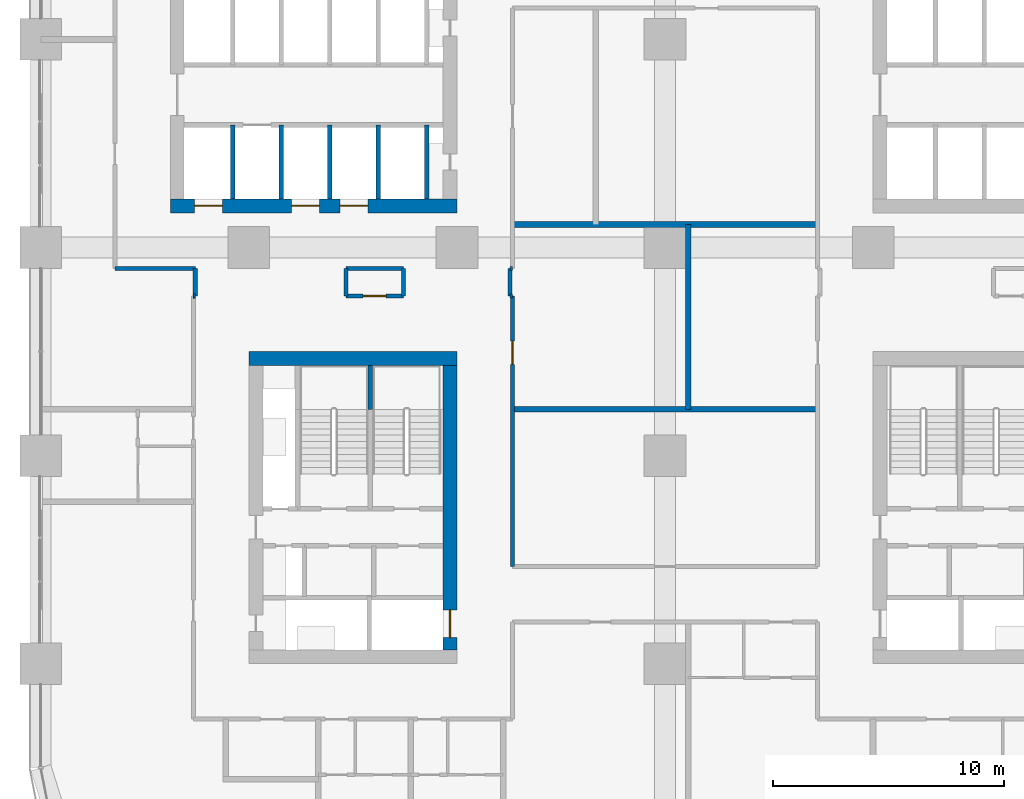
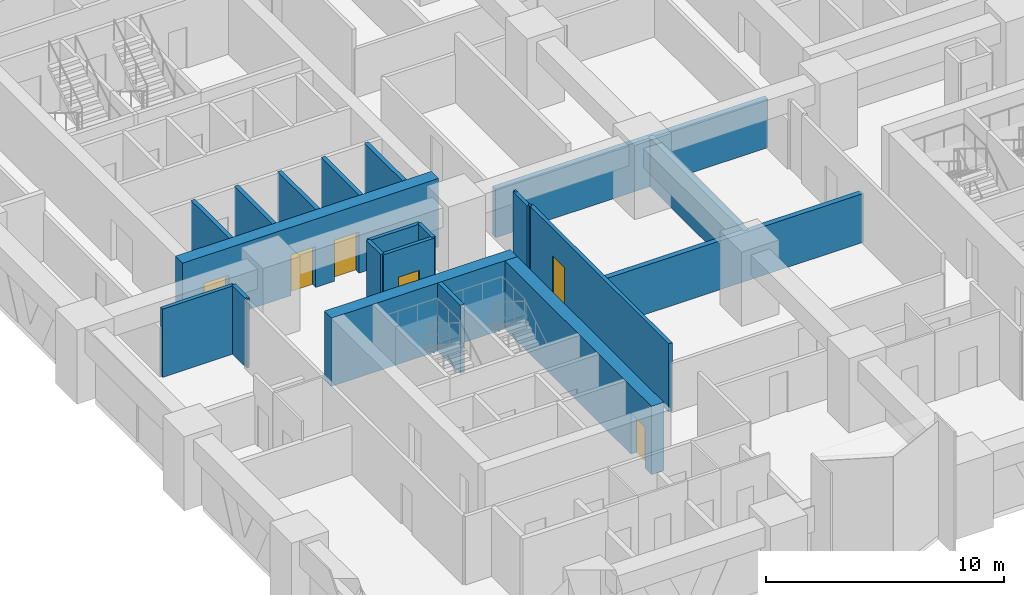
# One storey, part 15 of 24: 23 walls, 6 doors, 6 openings.
"""IFC4 building model written with IfcOpenShell, lengths in metres."""

from ifc_helpers import new_model, si_unit, direction, frame, frame_2d, origin, place, context, subcontext, project, spatial, rectangle, extrude, material, layer, layer_set, type_object, element, fill, save


model = new_model("IFC4")

# Units and contexts
model_context = context("Model", 3, precision=1e-05, world=origin(), true_north=direction((0.0, 1.0)))
body_context = subcontext(model_context, "Body", "Model", "MODEL_VIEW")
ifc_project = project(units=[si_unit("LENGTHUNIT", "METRE"), si_unit("AREAUNIT", "SQUARE_METRE"), si_unit("VOLUMEUNIT", "CUBIC_METRE"), si_unit("PLANEANGLEUNIT", "RADIAN"), si_unit("MASSUNIT", "GRAM", prefix="KILO")], contexts=[model_context])

# Site, building, storey
site_placement = place(None, origin())
site = spatial("IfcSite", under=ifc_project, at=site_placement, CompositionType="ELEMENT")
building_placement = place(site_placement, origin())
building = spatial("IfcBuilding", under=site, at=building_placement, Name="Tessera Arch", CompositionType="ELEMENT")
storey_placement = place(building_placement, frame((0.0, 0.0, 38.60009765625)))
storey = spatial("IfcBuildingStorey", under=building, at=storey_placement, Name="L07", CompositionType="ELEMENT", Elevation=38.60009765625)

# Wall, openings, doors
ifc_material_1 = material(Name="Concrete C70/85", Category="concrete")
ifc_layer_1 = layer(ifc_material_1, 0.60009765625)
ifc_layer_set_1 = layer_set([ifc_layer_1], Name="Core shell wall 600 C70-85")
wall_type_1 = type_object("IfcWallType", Name="Core shell wall 600 C70-85", PredefinedType="SHEAR", material=ifc_layer_set_1)
wall_1_placement = place(storey_placement, frame((5.60009765625, 28.800048828125, 0.0), z_axis=(0.0, 0.0, 1.0), x_axis=(1.0, 0.0, 0.0)))
wall_1 = element("IfcWall", 1, at=wall_1_placement, inside=storey, type_object=wall_type_1, Name="L07 C2 core wall S", PredefinedType="SHEAR", context=body_context, shape_type="SweptSolid", body=[
    extrude(rectangle(XDim=12.39990234375, YDim=0.60009765625, at=frame_2d((6.199951171875, 0.0))), origin(), (0.0, 0.0, 1.0), 3.5),
])
opening_1_placement = place(wall_1_placement, frame((1.050048828125, 0.0, 0.0)))
opening_1 = element("IfcOpeningElement", 2, at=opening_1_placement, cuts=wall_1, Name="Opening L07-C14", PredefinedType="OPENING", context=body_context, shape_type="SweptSolid", body=[
    extrude(rectangle(XDim=1.199951171875, YDim=2.10009765625, at=frame_2d((0.60009765625, 1.050048828125))), frame((0.0, 0.31005859375, 0.0), z_axis=(0.0, -1.0, 0.0), x_axis=(1.0, 0.0, 0.0)), (0.0, 0.0, 1.0), 0.6201171875),
])
opening_2_placement = place(wall_1_placement, frame((5.25, 0.0, 0.0)))
opening_2 = element("IfcOpeningElement", 3, at=opening_2_placement, cuts=wall_1, Name="Opening L07-C16", PredefinedType="OPENING", context=body_context, shape_type="SweptSolid", body=[
    extrude(rectangle(XDim=1.199951171875, YDim=2.10009765625, at=frame_2d((0.60009765625, 1.050048828125))), frame((0.0, 0.31005859375, 0.0), z_axis=(0.0, -1.0, 0.0), x_axis=(1.0, 0.0, 0.0)), (0.0, 0.0, 1.0), 0.6201171875),
])
opening_3_placement = place(wall_1_placement, frame((7.35009765625, 0.0, 0.0)))
opening_3 = element("IfcOpeningElement", 4, at=opening_3_placement, cuts=wall_1, Name="Opening L07-C17", PredefinedType="OPENING", context=body_context, shape_type="SweptSolid", body=[
    extrude(rectangle(XDim=1.199951171875, YDim=2.10009765625, at=frame_2d((0.60009765625, 1.050048828125))), frame((0.0, 0.31005859375, 0.0), z_axis=(0.0, -1.0, 0.0), x_axis=(1.0, 0.0, 0.0)), (0.0, 0.0, 1.0), 0.6201171875),
])
ifc_material_2 = material(Name="Stainless steel AISI 304", Category="steel")
door_type_1 = type_object("IfcDoorType", Name="Sliding landing door 1200 x 2100", OperationType="SLIDING_TO_LEFT", PredefinedType="DOOR", material=ifc_material_2)
door_1_placement = place(opening_1_placement, origin())
door_1 = element("IfcDoor", 5, at=door_1_placement, inside=storey, type_object=door_type_1, Name="L07 LR1 lift landing door C14 type LD", OperationType="SLIDING_TO_LEFT", OverallHeight=2.10009765625, OverallWidth=1.199951171875, PredefinedType="DOOR", context=body_context, shape_type="SweptSolid", body=[
    extrude(rectangle(XDim=1.199951171875, YDim=2.10009765625, at=frame_2d((0.60009765625, 1.050048828125))), frame((0.0, 0.02490234375, 0.0), z_axis=(0.0, -1.0, 0.0), x_axis=(1.0, 0.0, 0.0)), (0.0, 0.0, 1.0), 0.050048828125),
])
fill(opening_1, door_1)
door_2_placement = place(opening_2_placement, origin())
door_2 = element("IfcDoor", 6, at=door_2_placement, inside=storey, type_object=door_type_1, Name="L07 LR3 lift landing door C16 type LD", OperationType="SLIDING_TO_LEFT", OverallHeight=2.10009765625, OverallWidth=1.199951171875, PredefinedType="DOOR", context=body_context, shape_type="SweptSolid", body=[
    extrude(rectangle(XDim=1.199951171875, YDim=2.10009765625, at=frame_2d((0.60009765625, 1.050048828125))), frame((0.0, 0.02490234375, 0.0), z_axis=(0.0, -1.0, 0.0), x_axis=(1.0, 0.0, 0.0)), (0.0, 0.0, 1.0), 0.050048828125),
])
fill(opening_2, door_2)
door_3_placement = place(opening_3_placement, origin())
door_3 = element("IfcDoor", 7, at=door_3_placement, inside=storey, type_object=door_type_1, Name="L07 LR4 lift landing door C17 type LD", OperationType="SLIDING_TO_LEFT", OverallHeight=2.10009765625, OverallWidth=1.199951171875, PredefinedType="DOOR", context=body_context, shape_type="SweptSolid", body=[
    extrude(rectangle(XDim=1.199951171875, YDim=2.10009765625, at=frame_2d((0.60009765625, 1.050048828125))), frame((0.0, 0.02490234375, 0.0), z_axis=(0.0, -1.0, 0.0), x_axis=(1.0, 0.0, 0.0)), (0.0, 0.0, 1.0), 0.050048828125),
])
fill(opening_3, door_3)

# Wall
wall_2_placement = place(storey_placement, frame((9.0, 22.199951171875, 0.0), z_axis=(0.0, 0.0, 1.0), x_axis=(1.0, 0.0, 0.0)))
element("IfcWall", 8, at=wall_2_placement, inside=storey, type_object=wall_type_1, Name="L07 C4 core wall N", PredefinedType="SHEAR", context=body_context, shape_type="SweptSolid", body=[
    extrude(rectangle(XDim=9.0, YDim=0.60009765625, at=frame_2d((4.5, 0.0))), origin(), (0.0, 0.0, 1.0), 3.5),
])

# Wall, opening, door
wall_3_placement = place(storey_placement, frame((17.699951171875, 9.60009765625, 0.0), z_axis=(0.0, 0.0, 1.0), x_axis=(0.0, 1.0, 0.0)))
wall_3 = element("IfcWall", 9, at=wall_3_placement, inside=storey, type_object=wall_type_1, Name="L07 C4 core wall E", PredefinedType="SHEAR", context=body_context, shape_type="SweptSolid", body=[
    extrude(rectangle(XDim=12.2998046875, YDim=0.60009765625, at=frame_2d((6.14990234375, 0.0))), origin(), (0.0, 0.0, 1.0), 3.5),
])
opening_4_placement = place(wall_3_placement, frame((0.52490234375, 0.0, 0.0)))
opening_4 = element("IfcOpeningElement", 10, at=opening_4_placement, cuts=wall_3, Name="Opening L07-C40", PredefinedType="OPENING", context=body_context, shape_type="SweptSolid", body=[
    extrude(rectangle(XDim=1.199951171875, YDim=2.10009765625, at=frame_2d((0.60009765625, 1.050048828125))), frame((0.0, 0.31005859375, 0.0), z_axis=(0.0, -1.0, 0.0), x_axis=(1.0, 0.0, 0.0)), (0.0, 0.0, 1.0), 0.6201171875),
])
door_4_placement = place(opening_4_placement, origin())
door_4 = element("IfcDoor", 11, at=door_4_placement, inside=storey, type_object=door_type_1, Name="L07 SV3 lift landing door C40 type LD", OperationType="SLIDING_TO_LEFT", OverallHeight=2.10009765625, OverallWidth=1.199951171875, PredefinedType="DOOR", context=body_context, shape_type="SweptSolid", body=[
    extrude(rectangle(XDim=1.199951171875, YDim=2.10009765625, at=frame_2d((0.60009765625, 1.050048828125))), frame((0.0, 0.02490234375, 0.0), z_axis=(0.0, -1.0, 0.0), x_axis=(1.0, 0.0, 0.0)), (0.0, 0.0, 1.0), 0.050048828125),
])
fill(opening_4, door_4)

# Wall
ifc_material_3 = material(Name="Gypsum board on deep steel stud with mineral wool", Category="steel")
ifc_layer_2 = layer(ifc_material_3, 0.175048828125)
ifc_layer_set_2 = layer_set([ifc_layer_2], Name="Corridor wall 175 EI 60")
wall_type_2 = type_object("IfcWallType", Name="Corridor wall 175 EI 60", PredefinedType="PARTITIONING", material=ifc_layer_set_2)
wall_4_placement = place(storey_placement, frame((6.60009765625, 24.89990234375, 0.0), z_axis=(0.0, 0.0, 1.0), x_axis=(1.0, 0.0, 0.0)))
element("IfcWall", 12, at=wall_4_placement, inside=storey, type_object=wall_type_2, Name="L07 partition 5", PredefinedType="PARTITIONING", context=body_context, shape_type="SweptSolid", body=[
    extrude(rectangle(XDim=0.079833984375, YDim=0.175048828125, at=frame_2d((0.0400390625, 0.0))), origin(), (0.0, 0.0, 1.0), 3.5),
])

# Wall, opening, door
wall_5_placement = place(storey_placement, frame((13.199951171875, 24.89990234375, 0.0), z_axis=(0.0, 0.0, 1.0), x_axis=(1.0, 0.0, 0.0)))
wall_5 = element("IfcWall", 13, at=wall_5_placement, inside=storey, type_object=wall_type_2, Name="L07 partition 6", PredefinedType="PARTITIONING", context=body_context, shape_type="SweptSolid", body=[
    extrude(rectangle(XDim=2.47998046875, YDim=0.175048828125, at=frame_2d((1.239990234375, 0.0))), origin(), (0.0, 0.0, 1.0), 3.5),
])
opening_5_placement = place(wall_5_placement, frame((0.739990234375, 0.0, 0.0)))
opening_5 = element("IfcOpeningElement", 14, at=opening_5_placement, cuts=wall_5, Name="Opening L07-D031", PredefinedType="OPENING", context=body_context, shape_type="SweptSolid", body=[
    extrude(rectangle(XDim=1.0, YDim=2.10009765625, at=frame_2d((0.5, 1.050048828125))), frame((0.0, 0.097412109375, 0.0), z_axis=(0.0, -1.0, 0.0), x_axis=(1.0, 0.0, 0.0)), (0.0, 0.0, 1.0), 0.195068359375),
])
ifc_material_4 = material(Name="Fire-rated door leaf")
door_type_2 = type_object("IfcDoorType", Name="Entrance door FD30S 1000 x 2100", OperationType="SINGLE_SWING_LEFT", PredefinedType="DOOR", material=ifc_material_4)
door_5_placement = place(opening_5_placement, origin())
door_5 = element("IfcDoor", 15, at=door_5_placement, inside=storey, type_object=door_type_2, Name="L07 door D031 type D03", OperationType="SINGLE_SWING_LEFT", OverallHeight=2.10009765625, OverallWidth=1.0, PredefinedType="DOOR", context=body_context, shape_type="SweptSolid", body=[
    extrude(rectangle(XDim=1.0, YDim=2.10009765625, at=frame_2d((0.5, 1.050048828125))), frame((0.0, 0.02490234375, 0.0), z_axis=(0.0, -1.0, 0.0), x_axis=(1.0, 0.0, 0.0)), (0.0, 0.0, 1.0), 0.050048828125),
])
fill(opening_5, door_5)

# Walls
wall_6_placement = place(storey_placement, frame((20.300048828125, 24.89990234375, 0.0), z_axis=(0.0, 0.0, 1.0), x_axis=(1.0, 0.0, 0.0)))
element("IfcWall", 16, at=wall_6_placement, inside=storey, type_object=wall_type_2, Name="L07 partition 7", PredefinedType="PARTITIONING", context=body_context, shape_type="SweptSolid", body=[
    extrude(rectangle(XDim=0.099853515625, YDim=0.175048828125, at=frame_2d((0.0498046875, 0.0))), origin(), (0.0, 0.0, 1.0), 3.5),
])
wall_7_placement = place(storey_placement, frame((3.199951171875, 26.10009765625, 0.0), z_axis=(0.0, 0.0, 1.0), x_axis=(1.0, 0.0, 0.0)))
element("IfcWall", 17, at=wall_7_placement, inside=storey, type_object=wall_type_2, Name="L07 partition 11", PredefinedType="PARTITIONING", context=body_context, shape_type="SweptSolid", body=[
    extrude(rectangle(XDim=3.47998046875, YDim=0.175048828125, at=frame_2d((1.739990234375, 0.0))), origin(), (0.0, 0.0, 1.0), 3.5),
])
wall_8_placement = place(storey_placement, frame((13.199951171875, 26.10009765625, 0.0), z_axis=(0.0, 0.0, 1.0), x_axis=(1.0, 0.0, 0.0)))
element("IfcWall", 18, at=wall_8_placement, inside=storey, type_object=wall_type_2, Name="L07 partition 12", PredefinedType="PARTITIONING", context=body_context, shape_type="SweptSolid", body=[
    extrude(rectangle(XDim=2.47998046875, YDim=0.175048828125, at=frame_2d((1.239990234375, 0.0))), origin(), (0.0, 0.0, 1.0), 3.5),
])
wall_9_placement = place(storey_placement, frame((20.300048828125, 26.10009765625, 0.0), z_axis=(0.0, 0.0, 1.0), x_axis=(1.0, 0.0, 0.0)))
element("IfcWall", 19, at=wall_9_placement, inside=storey, type_object=wall_type_2, Name="L07 partition 13", PredefinedType="PARTITIONING", context=body_context, shape_type="SweptSolid", body=[
    extrude(rectangle(XDim=0.099853515625, YDim=0.175048828125, at=frame_2d((0.0498046875, 0.0))), origin(), (0.0, 0.0, 1.0), 3.5),
])
for number, where, z_axis, x_axis, name in (
    (20, (6.679931640625, 24.89990234375, 0.0), (0.0, 0.0, 1.0), (0.0, 1.0, 0.0), "L07 partition 23"),
    (21, (13.199951171875, 24.89990234375, 0.0), (0.0, 0.0, 1.0), (0.0, 1.0, 0.0), "L07 partition 24"),
    (22, (15.679931640625, 24.89990234375, 0.0), (0.0, 0.0, 1.0), (0.0, 1.0, 0.0), "L07 partition 25"),
    (23, (20.300048828125, 24.89990234375, 0.0), (0.0, 0.0, 1.0), (0.0, 1.0, 0.0), "L07 partition 26"),
):
    element("IfcWall", number, at=place(storey_placement, frame(where, z_axis=z_axis, x_axis=x_axis)), inside=storey, type_object=wall_type_2, Name=name, PredefinedType="PARTITIONING", context=body_context, shape_type="SweptSolid", body=[
        extrude(rectangle(XDim=1.2001953125, YDim=0.175048828125, at=frame_2d((0.60009765625, 0.0))), origin(), (0.0, 0.0, 1.0), 3.5),
    ])

# Wall, opening, door
wall_10_placement = place(storey_placement, frame((20.39990234375, 13.199951171875, 0.0), z_axis=(0.0, 0.0, 1.0), x_axis=(0.0, 1.0, 0.0)))
wall_10 = element("IfcWall", 24, at=wall_10_placement, inside=storey, type_object=wall_type_2, Name="L07 partition 28", PredefinedType="PARTITIONING", context=body_context, shape_type="SweptSolid", body=[
    extrude(rectangle(XDim=11.699951171875, YDim=0.175048828125, at=frame_2d((5.85009765625, 0.0))), origin(), (0.0, 0.0, 1.0), 3.5),
])
opening_6_placement = place(wall_10_placement, frame((8.75, 0.0, 0.0)))
opening_6 = element("IfcOpeningElement", 25, at=opening_6_placement, cuts=wall_10, Name="Opening L07-D029", PredefinedType="OPENING", context=body_context, shape_type="SweptSolid", body=[
    extrude(rectangle(XDim=1.0, YDim=2.10009765625, at=frame_2d((0.5, 1.050048828125))), frame((0.0, 0.097412109375, 0.0), z_axis=(0.0, -1.0, 0.0), x_axis=(1.0, 0.0, 0.0)), (0.0, 0.0, 1.0), 0.195068359375),
])
door_6_placement = place(opening_6_placement, origin())
door_6 = element("IfcDoor", 26, at=door_6_placement, inside=storey, type_object=door_type_2, Name="L07 door D029 type D03", OperationType="SINGLE_SWING_RIGHT", OverallHeight=2.10009765625, OverallWidth=1.0, PredefinedType="DOOR", context=body_context, shape_type="SweptSolid", body=[
    extrude(rectangle(XDim=1.0, YDim=2.10009765625, at=frame_2d((0.5, 1.050048828125))), frame((0.0, 0.02490234375, 0.0), z_axis=(0.0, -1.0, 0.0), x_axis=(1.0, 0.0, 0.0)), (0.0, 0.0, 1.0), 0.050048828125),
])
fill(opening_6, door_6)

# Walls
ifc_material_5 = material(Name="Double gypsum board on twin steel stud with acoustic mineral wool", Category="steel")
ifc_layer_3 = layer(ifc_material_5, 0.25)
ifc_layer_set_3 = layer_set([ifc_layer_3], Name="Party wall 250 EI 60")
wall_type_3 = type_object("IfcWallType", Name="Party wall 250 EI 60", PredefinedType="PARTITIONING", material=ifc_layer_set_3)
for number, where, z_axis, x_axis, name in (
    (27, (20.39990234375, 20.0, 0.0), (0.0, 0.0, 1.0), (1.0, 0.0, 0.0), "L07 partition 54"),
    (28, (20.39990234375, 28.0, 0.0), (0.0, 0.0, 1.0), (1.0, 0.0, 0.0), "L07 partition 56"),
):
    element("IfcWall", number, at=place(storey_placement, frame(where, z_axis=z_axis, x_axis=x_axis)), inside=storey, type_object=wall_type_3, Name=name, PredefinedType="PARTITIONING", context=body_context, shape_type="SweptSolid", body=[
        extrude(rectangle(XDim=13.2001953125, YDim=0.25, at=frame_2d((6.60009765625, 0.0))), origin(), (0.0, 0.0, 1.0), 2.5),
    ])
wall_11_placement = place(storey_placement, frame((28.0, 20.0, 0.0), z_axis=(0.0, 0.0, 1.0), x_axis=(0.0, 1.0, 0.0)))
element("IfcWall", 29, at=wall_11_placement, inside=storey, type_object=wall_type_3, Name="L07 partition 68", PredefinedType="PARTITIONING", context=body_context, shape_type="SweptSolid", body=[
    extrude(rectangle(XDim=8.0, YDim=0.25, at=frame_2d((4.0, 0.0))), origin(), (0.0, 0.0, 1.0), 2.5),
])
ifc_material_6 = material(Name="Concrete C40/50", Category="concrete")
ifc_layer_4 = layer(ifc_material_6, 0.199951171875)
ifc_layer_set_4 = layer_set([ifc_layer_4], Name="Shaft wall 200 EI 120")
wall_type_4 = type_object("IfcWallType", Name="Shaft wall 200 EI 120", PredefinedType="SOLIDWALL", material=ifc_layer_set_4)
for number, where, z_axis, x_axis, name in (
    (30, (8.300048828125, 29.10009765625, 0.0), (0.0, 0.0, 1.0), (0.0, 1.0, 0.0), "L07 C2 shaft wall 1"),
    (31, (10.39990234375, 29.10009765625, 0.0), (0.0, 0.0, 1.0), (0.0, 1.0, 0.0), "L07 C2 shaft wall 5"),
    (32, (12.5, 29.10009765625, 0.0), (0.0, 0.0, 1.0), (0.0, 1.0, 0.0), "L07 C2 shaft wall 8"),
    (33, (14.60009765625, 29.10009765625, 0.0), (0.0, 0.0, 1.0), (0.0, 1.0, 0.0), "L07 C2 shaft wall 12"),
    (34, (16.699951171875, 29.10009765625, 0.0), (0.0, 0.0, 1.0), (0.0, 1.0, 0.0), "L07 C2 shaft wall 14"),
):
    element("IfcWall", number, at=place(storey_placement, frame(where, z_axis=z_axis, x_axis=x_axis)), inside=storey, type_object=wall_type_4, Name=name, PredefinedType="SOLIDWALL", context=body_context, shape_type="SweptSolid", body=[
        extrude(rectangle(XDim=3.199951171875, YDim=0.199951171875, at=frame_2d((1.60009765625, 0.0))), origin(), (0.0, 0.0, 1.0), 3.5),
    ])
ifc_material_7 = material(Name="Concrete C40/50", Category="concrete")
ifc_layer_5 = layer(ifc_material_7, 0.199951171875)
ifc_layer_set_5 = layer_set([ifc_layer_5], Name="Stair well wall 200 REI 180")
wall_type_5 = type_object("IfcWallType", Name="Stair well wall 200 REI 180", PredefinedType="SOLIDWALL", material=ifc_layer_set_5)
wall_12_placement = place(storey_placement, frame((14.25, 20.0, 0.0), z_axis=(0.0, 0.0, 1.0), x_axis=(0.0, 1.0, 0.0)))
element("IfcWall", 35, at=wall_12_placement, inside=storey, type_object=wall_type_5, Name="L07 C4 shaft wall 6", PredefinedType="SOLIDWALL", context=body_context, shape_type="SweptSolid", body=[
    extrude(rectangle(XDim=1.89990234375, YDim=0.199951171875, at=frame_2d((0.949951171875, 0.0))), origin(), (0.0, 0.0, 1.0), 3.5),
])

save(model, "model.ifc")
